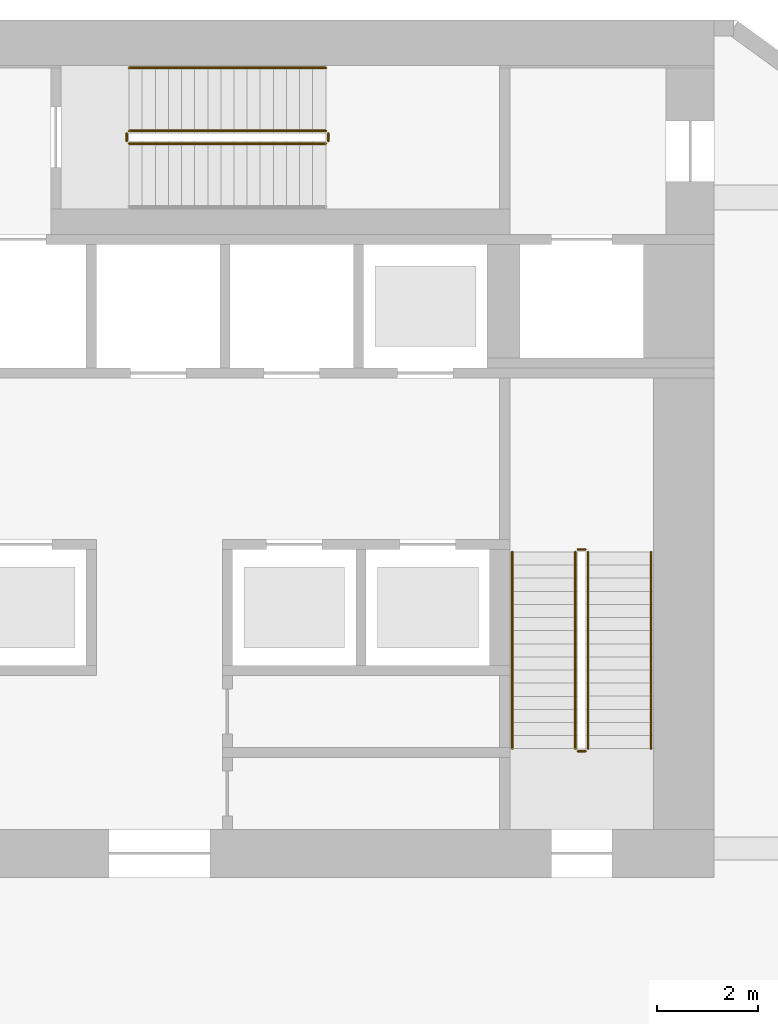
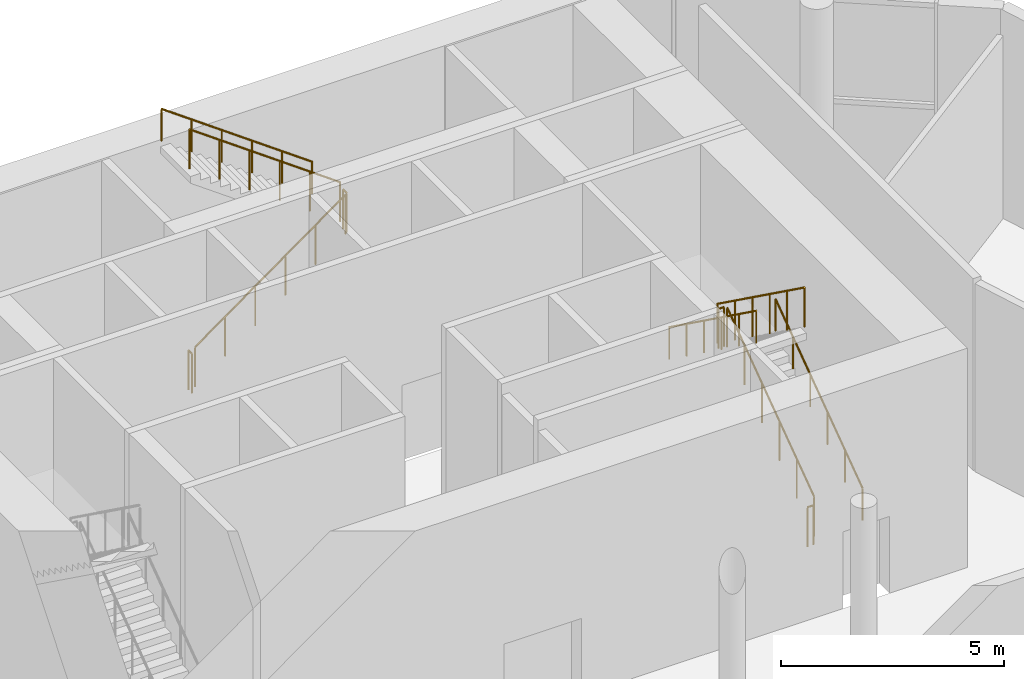
# One storey, part 13 of 14: 11 railings.
"""IFC4 building model written with IfcOpenShell, lengths in metres."""

from ifc_helpers import new_model, si_unit, direction, frame, origin, origin_2d, place, context, subcontext, project, spatial, circle, extrude, material, type_object, element, save


model = new_model("IFC4")

# Units and contexts
model_context = context("Model", 3, precision=1e-05, world=origin(), true_north=direction((0.0, 1.0)))
body_context = subcontext(model_context, "Body", "Model", "MODEL_VIEW")
ifc_project = project(units=[si_unit("LENGTHUNIT", "METRE"), si_unit("AREAUNIT", "SQUARE_METRE"), si_unit("VOLUMEUNIT", "CUBIC_METRE"), si_unit("PLANEANGLEUNIT", "RADIAN"), si_unit("MASSUNIT", "GRAM", prefix="KILO")], contexts=[model_context])

# Site, building, storey
site_placement = place(None, origin())
site = spatial("IfcSite", under=ifc_project, at=site_placement, CompositionType="ELEMENT")
building_placement = place(site_placement, origin())
building = spatial("IfcBuilding", under=site, at=building_placement, Name="White Candle Pilgrim Tower", CompositionType="ELEMENT")
storey_placement = place(building_placement, frame((0.0, 0.0, 142.60009765625)))
storey = spatial("IfcBuildingStorey", under=building, at=storey_placement, Name="L32", CompositionType="ELEMENT", Elevation=142.60009765625)

# Railings
ifc_material = material(Name="Stainless steel", Category="steel")
railing_type_1 = type_object("IfcRailingType", Name="Stair guard stainless steel 1100 mm", PredefinedType="GUARDRAIL", material=ifc_material)
railing_1_placement = place(storey_placement, frame((78.5, 73.550048828125, 0.1875)))
element("IfcRailing", 1, at=railing_1_placement, inside=storey, type_object=railing_type_1, Name="L32 ST2 stair guard 1", PredefinedType="GUARDRAIL", context=body_context, shape_type="SweptSolid", body=[
    extrude(circle(Radius=0.02392578125, at=origin_2d()), frame((0.0, 0.0, 1.076171875), z_axis=(0.0, 0.811083382981, 0.584930547887), x_axis=(-1.0, 0.0, 0.0)), (0.0, 0.0, 1.0), 4.808349609375),
    extrude(circle(Radius=0.02099609375, at=origin_2d()), origin(), (0.0, 0.0, 1.0), 1.052001953125),
    extrude(circle(Radius=0.02099609375, at=origin_2d()), frame((0.0, 0.780029296875, 0.5625)), (0.0, 0.0, 1.0), 1.052001953125),
    extrude(circle(Radius=0.02099609375, at=origin_2d()), frame((0.0, 1.56005859375, 1.125)), (0.0, 0.0, 1.0), 1.052001953125),
    extrude(circle(Radius=0.02099609375, at=origin_2d()), frame((0.0, 2.33984375, 1.6875)), (0.0, 0.0, 1.0), 1.052001953125),
    extrude(circle(Radius=0.02099609375, at=origin_2d()), frame((0.0, 3.119873046875, 2.25)), (0.0, 0.0, 1.0), 1.052001953125),
    extrude(circle(Radius=0.02099609375, at=origin_2d()), frame((0.0, 3.89990234375, 2.8125)), (0.0, 0.0, 1.0), 1.052001953125),
])
railing_2_placement = place(storey_placement, frame((78.449951171875, 77.5, 3.0)))
element("IfcRailing", 2, at=railing_2_placement, inside=storey, type_object=railing_type_1, Name="L32 ST2 stair guard 2", PredefinedType="GUARDRAIL", context=body_context, shape_type="SweptSolid", body=[
    extrude(circle(Radius=0.02392578125, at=origin_2d()), frame((0.0, 0.0, 1.076171875), z_axis=(-1.0, 0.0, 0.0), x_axis=(0.0, -1.0, 0.0)), (0.0, 0.0, 1.0), 0.14990234375),
    extrude(circle(Radius=0.02099609375, at=origin_2d()), origin(), (0.0, 0.0, 1.0), 1.052001953125),
    extrude(circle(Radius=0.02099609375, at=origin_2d()), frame((-0.14990234375, 0.0, 0.0)), (0.0, 0.0, 1.0), 1.052001953125),
])
railing_3_placement = place(storey_placement, frame((78.25, 77.449951171875, 3.1875)))
element("IfcRailing", 3, at=railing_3_placement, inside=storey, type_object=railing_type_1, Name="L32 ST2 stair guard 3", PredefinedType="GUARDRAIL", context=body_context, shape_type="SweptSolid", body=[
    extrude(circle(Radius=0.02392578125, at=origin_2d()), frame((0.0, 0.0, 1.076171875), z_axis=(0.0, -0.811083382981, 0.584930547887), x_axis=(1.0, 0.0, 0.0)), (0.0, 0.0, 1.0), 4.808349609375),
    extrude(circle(Radius=0.02099609375, at=origin_2d()), origin(), (0.0, 0.0, 1.0), 1.052001953125),
    extrude(circle(Radius=0.02099609375, at=origin_2d()), frame((0.0, -0.780029296875, 0.5625)), (0.0, 0.0, 1.0), 1.052001953125),
    extrude(circle(Radius=0.02099609375, at=origin_2d()), frame((0.0, -1.56005859375, 1.125)), (0.0, 0.0, 1.0), 1.052001953125),
    extrude(circle(Radius=0.02099609375, at=origin_2d()), frame((0.0, -2.33984375, 1.6875)), (0.0, 0.0, 1.0), 1.052001953125),
    extrude(circle(Radius=0.02099609375, at=origin_2d()), frame((0.0, -3.119873046875, 2.25)), (0.0, 0.0, 1.0), 1.052001953125),
    extrude(circle(Radius=0.02099609375, at=origin_2d()), frame((0.0, -3.89990234375, 2.8125)), (0.0, 0.0, 1.0), 1.052001953125),
])
railing_4_placement = place(storey_placement, frame((78.449951171875, 73.5, 0.0)))
element("IfcRailing", 4, at=railing_4_placement, inside=storey, type_object=railing_type_1, Name="L32 ST2 stair guard 4", PredefinedType="GUARDRAIL", context=body_context, shape_type="SweptSolid", body=[
    extrude(circle(Radius=0.02392578125, at=origin_2d()), frame((0.0, 0.0, 1.076171875), z_axis=(-1.0, 0.0, 0.0), x_axis=(0.0, -1.0, 0.0)), (0.0, 0.0, 1.0), 0.14990234375),
    extrude(circle(Radius=0.02099609375, at=origin_2d()), origin(), (0.0, 0.0, 1.0), 1.052001953125),
    extrude(circle(Radius=0.02099609375, at=origin_2d()), frame((-0.14990234375, 0.0, 0.0)), (0.0, 0.0, 1.0), 1.052001953125),
])
railing_5_placement = place(storey_placement, frame((69.39990234375, 85.550048828125, 0.1875)))
element("IfcRailing", 5, at=railing_5_placement, inside=storey, type_object=railing_type_1, Name="L32 ST3 stair guard 1", PredefinedType="GUARDRAIL", context=body_context, shape_type="SweptSolid", body=[
    extrude(circle(Radius=0.02392578125, at=origin_2d()), frame((0.0, 0.0, 1.076171875), z_axis=(0.811100754333, 0.0, 0.584906459462), x_axis=(0.0, 1.0, 0.0)), (0.0, 0.0, 1.0), 4.808349609375),
    extrude(circle(Radius=0.02099609375, at=origin_2d()), origin(), (0.0, 0.0, 1.0), 1.052001953125),
    extrude(circle(Radius=0.02099609375, at=origin_2d()), frame((0.780029296875, 0.0, 0.5625)), (0.0, 0.0, 1.0), 1.052001953125),
    extrude(circle(Radius=0.02099609375, at=origin_2d()), frame((1.56005859375, 0.0, 1.125)), (0.0, 0.0, 1.0), 1.052001953125),
    extrude(circle(Radius=0.02099609375, at=origin_2d()), frame((2.340087890625, 0.0, 1.6875)), (0.0, 0.0, 1.0), 1.052001953125),
    extrude(circle(Radius=0.02099609375, at=origin_2d()), frame((3.1201171875, 0.0, 2.25)), (0.0, 0.0, 1.0), 1.052001953125),
    extrude(circle(Radius=0.02099609375, at=origin_2d()), frame((3.900146484375, 0.0, 2.8125)), (0.0, 0.0, 1.0), 1.052001953125),
])
railing_6_placement = place(storey_placement, frame((73.35009765625, 85.60009765625, 3.0)))
element("IfcRailing", 6, at=railing_6_placement, inside=storey, type_object=railing_type_1, Name="L32 ST3 stair guard 2", PredefinedType="GUARDRAIL", context=body_context, shape_type="SweptSolid", body=[
    extrude(circle(Radius=0.02392578125, at=origin_2d()), frame((0.0, 0.0, 1.076171875), z_axis=(0.0, 1.0, 0.0), x_axis=(-1.0, 0.0, 0.0)), (0.0, 0.0, 1.0), 0.14990234375),
    extrude(circle(Radius=0.02099609375, at=origin_2d()), origin(), (0.0, 0.0, 1.0), 1.052001953125),
    extrude(circle(Radius=0.02099609375, at=origin_2d()), frame((0.0, 0.14990234375, 0.0)), (0.0, 0.0, 1.0), 1.052001953125),
])
railing_7_placement = place(storey_placement, frame((73.300048828125, 85.800048828125, 3.1875)))
element("IfcRailing", 7, at=railing_7_placement, inside=storey, type_object=railing_type_1, Name="L32 ST3 stair guard 3", PredefinedType="GUARDRAIL", context=body_context, shape_type="SweptSolid", body=[
    extrude(circle(Radius=0.02392578125, at=origin_2d()), frame((0.0, 0.0, 1.076171875), z_axis=(-0.811100754333, 0.0, 0.584906459462), x_axis=(0.0, -1.0, 0.0)), (0.0, 0.0, 1.0), 4.808349609375),
    extrude(circle(Radius=0.02099609375, at=origin_2d()), origin(), (0.0, 0.0, 1.0), 1.052001953125),
    extrude(circle(Radius=0.02099609375, at=origin_2d()), frame((-0.780029296875, 0.0, 0.5625)), (0.0, 0.0, 1.0), 1.052001953125),
    extrude(circle(Radius=0.02099609375, at=origin_2d()), frame((-1.56005859375, 0.0, 1.125)), (0.0, 0.0, 1.0), 1.052001953125),
    extrude(circle(Radius=0.02099609375, at=origin_2d()), frame((-2.340087890625, 0.0, 1.6875)), (0.0, 0.0, 1.0), 1.052001953125),
    extrude(circle(Radius=0.02099609375, at=origin_2d()), frame((-3.1201171875, 0.0, 2.25)), (0.0, 0.0, 1.0), 1.052001953125),
    extrude(circle(Radius=0.02099609375, at=origin_2d()), frame((-3.900146484375, 0.0, 2.8125)), (0.0, 0.0, 1.0), 1.052001953125),
])
railing_8_placement = place(storey_placement, frame((69.35009765625, 85.60009765625, 0.0)))
element("IfcRailing", 8, at=railing_8_placement, inside=storey, type_object=railing_type_1, Name="L32 ST3 stair guard 4", PredefinedType="GUARDRAIL", context=body_context, shape_type="SweptSolid", body=[
    extrude(circle(Radius=0.02392578125, at=origin_2d()), frame((0.0, 0.0, 1.076171875), z_axis=(0.0, 1.0, 0.0), x_axis=(-1.0, 0.0, 0.0)), (0.0, 0.0, 1.0), 0.14990234375),
    extrude(circle(Radius=0.02099609375, at=origin_2d()), origin(), (0.0, 0.0, 1.0), 1.052001953125),
    extrude(circle(Radius=0.02099609375, at=origin_2d()), frame((0.0, 0.14990234375, 0.0)), (0.0, 0.0, 1.0), 1.052001953125),
])
railing_type_2 = type_object("IfcRailingType", Name="Stair handrail stainless steel", PredefinedType="HANDRAIL", material=ifc_material)
railing_9_placement = place(storey_placement, frame((79.75, 73.550048828125, 0.1875)))
element("IfcRailing", 9, at=railing_9_placement, inside=storey, type_object=railing_type_2, Name="L32 ST2 stair handrail 1", PredefinedType="HANDRAIL", context=body_context, shape_type="SweptSolid", body=[
    extrude(circle(Radius=0.02392578125, at=origin_2d()), frame((0.0, 0.0, 0.8759765625), z_axis=(0.0, 0.811083382981, 0.584930547887), x_axis=(-1.0, 0.0, 0.0)), (0.0, 0.0, 1.0), 4.808349609375),
    extrude(circle(Radius=0.02099609375, at=origin_2d()), origin(), (0.0, 0.0, 1.0), 0.851806640625),
    extrude(circle(Radius=0.02099609375, at=origin_2d()), frame((0.0, 0.780029296875, 0.5625)), (0.0, 0.0, 1.0), 0.851806640625),
    extrude(circle(Radius=0.02099609375, at=origin_2d()), frame((0.0, 1.56005859375, 1.125)), (0.0, 0.0, 1.0), 0.851806640625),
    extrude(circle(Radius=0.02099609375, at=origin_2d()), frame((0.0, 2.33984375, 1.6875)), (0.0, 0.0, 1.0), 0.851806640625),
    extrude(circle(Radius=0.02099609375, at=origin_2d()), frame((0.0, 3.119873046875, 2.25)), (0.0, 0.0, 1.0), 0.851806640625),
    extrude(circle(Radius=0.02099609375, at=origin_2d()), frame((0.0, 3.89990234375, 2.8125)), (0.0, 0.0, 1.0), 0.851806640625),
])
railing_10_placement = place(storey_placement, frame((77.0, 77.449951171875, 3.1875)))
element("IfcRailing", 10, at=railing_10_placement, inside=storey, type_object=railing_type_2, Name="L32 ST2 stair handrail 2", PredefinedType="HANDRAIL", context=body_context, shape_type="SweptSolid", body=[
    extrude(circle(Radius=0.02392578125, at=origin_2d()), frame((0.0, 0.0, 0.8759765625), z_axis=(0.0, -0.811083382981, 0.584930547887), x_axis=(1.0, 0.0, 0.0)), (0.0, 0.0, 1.0), 4.808349609375),
    extrude(circle(Radius=0.02099609375, at=origin_2d()), origin(), (0.0, 0.0, 1.0), 0.851806640625),
    extrude(circle(Radius=0.02099609375, at=origin_2d()), frame((0.0, -0.780029296875, 0.5625)), (0.0, 0.0, 1.0), 0.851806640625),
    extrude(circle(Radius=0.02099609375, at=origin_2d()), frame((0.0, -1.56005859375, 1.125)), (0.0, 0.0, 1.0), 0.851806640625),
    extrude(circle(Radius=0.02099609375, at=origin_2d()), frame((0.0, -2.33984375, 1.6875)), (0.0, 0.0, 1.0), 0.851806640625),
    extrude(circle(Radius=0.02099609375, at=origin_2d()), frame((0.0, -3.119873046875, 2.25)), (0.0, 0.0, 1.0), 0.851806640625),
    extrude(circle(Radius=0.02099609375, at=origin_2d()), frame((0.0, -3.89990234375, 2.8125)), (0.0, 0.0, 1.0), 0.851806640625),
])
railing_11_placement = place(storey_placement, frame((73.300048828125, 87.050048828125, 3.1875)))
element("IfcRailing", 11, at=railing_11_placement, inside=storey, type_object=railing_type_2, Name="L32 ST3 stair handrail 2", PredefinedType="HANDRAIL", context=body_context, shape_type="SweptSolid", body=[
    extrude(circle(Radius=0.02392578125, at=origin_2d()), frame((0.0, 0.0, 0.8759765625), z_axis=(-0.811100754333, 0.0, 0.584906459462), x_axis=(0.0, -1.0, 0.0)), (0.0, 0.0, 1.0), 4.808349609375),
    extrude(circle(Radius=0.02099609375, at=origin_2d()), origin(), (0.0, 0.0, 1.0), 0.851806640625),
    extrude(circle(Radius=0.02099609375, at=origin_2d()), frame((-0.780029296875, 0.0, 0.5625)), (0.0, 0.0, 1.0), 0.851806640625),
    extrude(circle(Radius=0.02099609375, at=origin_2d()), frame((-1.56005859375, 0.0, 1.125)), (0.0, 0.0, 1.0), 0.851806640625),
    extrude(circle(Radius=0.02099609375, at=origin_2d()), frame((-2.340087890625, 0.0, 1.6875)), (0.0, 0.0, 1.0), 0.851806640625),
    extrude(circle(Radius=0.02099609375, at=origin_2d()), frame((-3.1201171875, 0.0, 2.25)), (0.0, 0.0, 1.0), 0.851806640625),
    extrude(circle(Radius=0.02099609375, at=origin_2d()), frame((-3.900146484375, 0.0, 2.8125)), (0.0, 0.0, 1.0), 0.851806640625),
])

save(model, "model.ifc")
